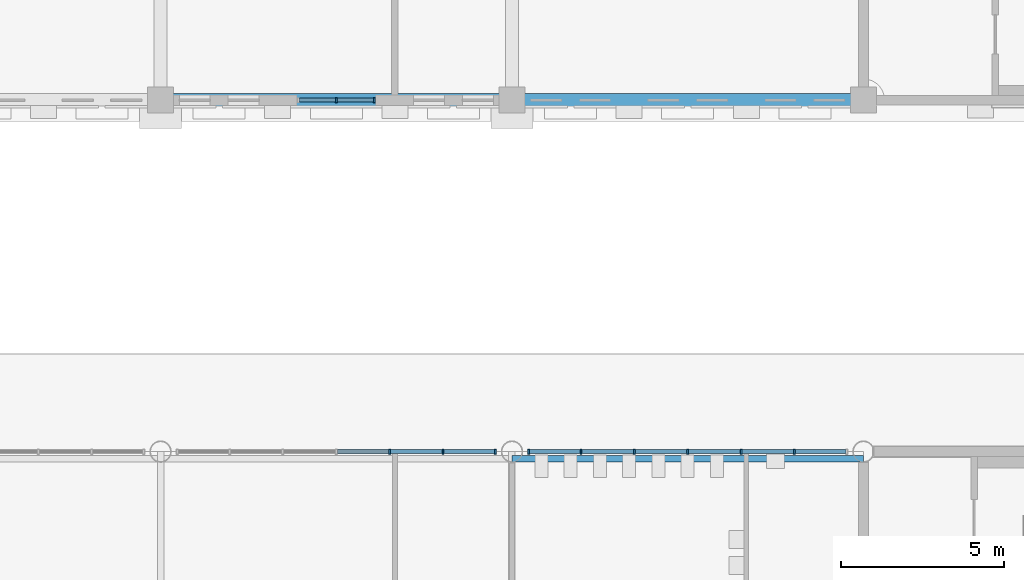
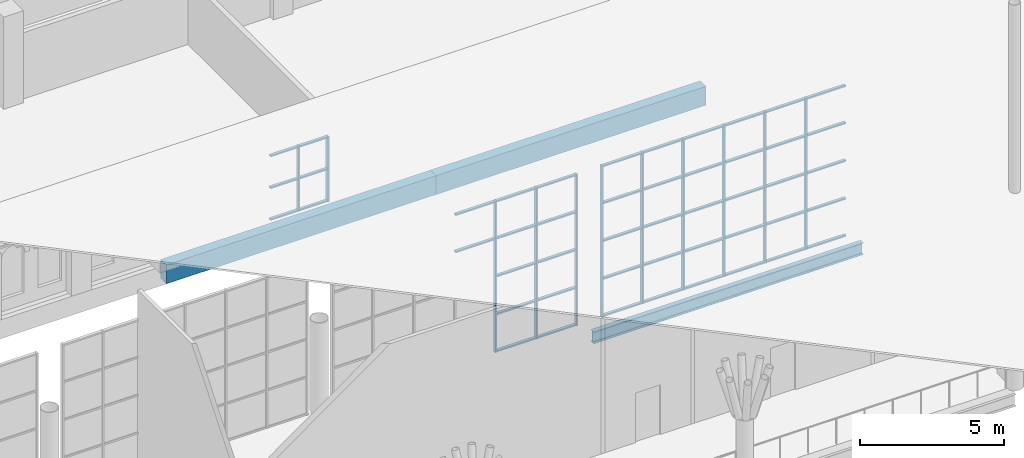
# One storey, part 15 of 56: 59 members, 3 beams, 3 elements without a shape of their own.
"""IFC4 building model written with IfcOpenShell, lengths in metres."""

from ifc_helpers import new_model, si_unit, direction, frame, origin, origin_2d, place, context, subcontext, project, spatial, rectangle, i_section, extrude, material, layer, layer_set, material_profile, profile_set, type_object, element, aggregate, save


model = new_model("IFC4")

# Units and contexts
model_context = context("Model", 3, precision=1e-05, world=origin(), true_north=direction((0.0, 1.0)))
body_context = subcontext(model_context, "Body", "Model", "MODEL_VIEW")
ifc_project = project(units=[si_unit("LENGTHUNIT", "METRE"), si_unit("AREAUNIT", "SQUARE_METRE"), si_unit("VOLUMEUNIT", "CUBIC_METRE"), si_unit("PLANEANGLEUNIT", "RADIAN"), si_unit("MASSUNIT", "GRAM", prefix="KILO")], contexts=[model_context])

# Site, building, storey
site_placement = place(None, origin())
site = spatial("IfcSite", under=ifc_project, at=site_placement, CompositionType="ELEMENT")
building_placement = place(site_placement, origin())
building = spatial("IfcBuilding", under=site, at=building_placement, Name="Magnolia Steps Interchange", CompositionType="ELEMENT")
storey_placement = place(building_placement, frame((0.0, 0.0, 8.699951171875)))
storey = spatial("IfcBuildingStorey", under=building, at=storey_placement, Name="L02", CompositionType="ELEMENT", Elevation=8.699951171875)

# Curtain wall, members
ifc_material_1 = material(Name="Powder-coated aluminium and glass", Category="aluminium")
ifc_layer_1 = layer(ifc_material_1, 0.199951171875)
ifc_layer_set_1 = layer_set([ifc_layer_1], Name="Glazed central bay curtain wall")
curtain_wall_type_1 = type_object("IfcCurtainWallType", Name="Glazed central bay curtain wall", PredefinedType="NOTDEFINED", material=ifc_layer_set_1)
curtain_wall_1_placement = place(storey_placement, origin())
curtain_wall_1 = element("IfcCurtainWall", 1, at=curtain_wall_1_placement, inside=storey, type_object=curtain_wall_type_1, Name="Operations building south wall L02 glazing 2", PredefinedType="NOTDEFINED")
ifc_material_2 = material(Name="White powder-coated aluminium", Category="aluminium")
ifc_material_profile_1 = material_profile(ifc_material_2, rectangle(XDim=0.06005859375, YDim=0.14990234375, at=origin_2d()), Name="Aluminium mullion 60 x 150")
ifc_profile_set_1 = profile_set([ifc_material_profile_1], Name="White powder-coated aluminium")
member_type_1 = type_object("IfcMemberType", Name="Aluminium mullion 60 x 150", PredefinedType="MULLION", material=ifc_profile_set_1)
member_1_placement = place(storey_placement, frame((91.0, 96.39990234375, 0.0), z_axis=(0.0, 0.0, 1.0), x_axis=(1.0, 0.0, 0.0)))
member_1 = element("IfcMember", 2, at=member_1_placement, type_object=member_type_1, Name="CW2 mullion 2", PredefinedType="MULLION", context=body_context, shape_type="SweptSolid", body=[
    extrude(rectangle(XDim=0.06005859375, YDim=0.14990234375, at=origin_2d()), origin(), (0.0, 0.0, 1.0), 2.75),
])
member_2_placement = place(storey_placement, frame((92.169921875, 96.39990234375, 0.0), z_axis=(0.0, 0.0, 1.0), x_axis=(1.0, 0.0, 0.0)))
member_2 = element("IfcMember", 3, at=member_2_placement, type_object=member_type_1, Name="CW2 mullion 3", PredefinedType="MULLION", context=body_context, shape_type="SweptSolid", body=[
    extrude(rectangle(XDim=0.06005859375, YDim=0.14990234375, at=origin_2d()), origin(), (0.0, 0.0, 1.0), 2.75),
])

ifc_material_3 = material(Name="Powder-coated aluminium and glass", Category="aluminium")
ifc_layer_2 = layer(ifc_material_3, 0.1201171875)
ifc_layer_set_2 = layer_set([ifc_layer_2], Name="Hall clerestory curtain wall")
curtain_wall_type_2 = type_object("IfcCurtainWallType", Name="Hall clerestory curtain wall", PredefinedType="NOTDEFINED", material=ifc_layer_set_2)
curtain_wall_2_placement = place(storey_placement, origin())
curtain_wall_2 = element("IfcCurtainWall", 4, at=curtain_wall_2_placement, inside=storey, type_object=curtain_wall_type_2, Name="Hall clerestory N4", PredefinedType="NOTDEFINED")
member_3_placement = place(storey_placement, frame((92.639892578125, 85.60009765625, 0.0), z_axis=(0.0, 0.0, 1.0), x_axis=(1.0, 0.0, 0.0)))
member_3 = element("IfcMember", 5, at=member_3_placement, type_object=member_type_1, Name="CW6 mullion 5", PredefinedType="MULLION", context=body_context, shape_type="SweptSolid", body=[
    extrude(rectangle(XDim=0.06005859375, YDim=0.14990234375, at=origin_2d()), origin(), (0.0, 0.0, 1.0), 6.400146484375),
])
member_4_placement = place(storey_placement, frame((94.280029296875, 85.60009765625, 0.0), z_axis=(0.0, 0.0, 1.0), x_axis=(1.0, 0.0, 0.0)))
member_4 = element("IfcMember", 6, at=member_4_placement, type_object=member_type_1, Name="CW6 mullion 6", PredefinedType="MULLION", context=body_context, shape_type="SweptSolid", body=[
    extrude(rectangle(XDim=0.06005859375, YDim=0.14990234375, at=origin_2d()), origin(), (0.0, 0.0, 1.0), 6.400146484375),
])
member_5_placement = place(storey_placement, frame((95.889892578125, 85.60009765625, 0.0), z_axis=(0.0, 0.0, 1.0), x_axis=(1.0, 0.0, 0.0)))
member_5 = element("IfcMember", 7, at=member_5_placement, type_object=member_type_1, Name="CW6 mullion 7", PredefinedType="MULLION", context=body_context, shape_type="SweptSolid", body=[
    extrude(rectangle(XDim=0.06005859375, YDim=0.14990234375, at=origin_2d()), origin(), (0.0, 0.0, 1.0), 6.400146484375),
])

curtain_wall_3_placement = place(storey_placement, origin())
curtain_wall_3 = element("IfcCurtainWall", 8, at=curtain_wall_3_placement, inside=storey, type_object=curtain_wall_type_2, Name="Hall clerestory N5", PredefinedType="NOTDEFINED")
member_6_placement = place(storey_placement, frame((96.909912109375, 85.60009765625, 0.0), z_axis=(0.0, 0.0, 1.0), x_axis=(1.0, 0.0, 0.0)))
member_6 = element("IfcMember", 9, at=member_6_placement, type_object=member_type_1, Name="CW6 mullion 1", PredefinedType="MULLION", context=body_context, shape_type="SweptSolid", body=[
    extrude(rectangle(XDim=0.06005859375, YDim=0.14990234375, at=origin_2d()), origin(), (0.0, 0.0, 1.0), 6.400146484375),
])
member_7_placement = place(storey_placement, frame((98.52001953125, 85.60009765625, 0.0), z_axis=(0.0, 0.0, 1.0), x_axis=(1.0, 0.0, 0.0)))
member_7 = element("IfcMember", 10, at=member_7_placement, type_object=member_type_1, Name="CW6 mullion 2", PredefinedType="MULLION", context=body_context, shape_type="SweptSolid", body=[
    extrude(rectangle(XDim=0.06005859375, YDim=0.14990234375, at=origin_2d()), origin(), (0.0, 0.0, 1.0), 6.400146484375),
])
member_8_placement = place(storey_placement, frame((100.159912109375, 85.60009765625, 0.0), z_axis=(0.0, 0.0, 1.0), x_axis=(1.0, 0.0, 0.0)))
member_8 = element("IfcMember", 11, at=member_8_placement, type_object=member_type_1, Name="CW6 mullion 3", PredefinedType="MULLION", context=body_context, shape_type="SweptSolid", body=[
    extrude(rectangle(XDim=0.06005859375, YDim=0.14990234375, at=origin_2d()), origin(), (0.0, 0.0, 1.0), 6.400146484375),
])
member_9_placement = place(storey_placement, frame((101.800048828125, 85.60009765625, 0.0), z_axis=(0.0, 0.0, 1.0), x_axis=(1.0, 0.0, 0.0)))
member_9 = element("IfcMember", 12, at=member_9_placement, type_object=member_type_1, Name="CW6 mullion 4", PredefinedType="MULLION", context=body_context, shape_type="SweptSolid", body=[
    extrude(rectangle(XDim=0.06005859375, YDim=0.14990234375, at=origin_2d()), origin(), (0.0, 0.0, 1.0), 6.400146484375),
])
member_10_placement = place(storey_placement, frame((103.43994140625, 85.60009765625, 0.0), z_axis=(0.0, 0.0, 1.0), x_axis=(1.0, 0.0, 0.0)))
member_10 = element("IfcMember", 13, at=member_10_placement, type_object=member_type_1, Name="CW6 mullion 5", PredefinedType="MULLION", context=body_context, shape_type="SweptSolid", body=[
    extrude(rectangle(XDim=0.06005859375, YDim=0.14990234375, at=origin_2d()), origin(), (0.0, 0.0, 1.0), 6.400146484375),
])
member_11_placement = place(storey_placement, frame((105.080078125, 85.60009765625, 0.0), z_axis=(0.0, 0.0, 1.0), x_axis=(1.0, 0.0, 0.0)))
member_11 = element("IfcMember", 14, at=member_11_placement, type_object=member_type_1, Name="CW6 mullion 6", PredefinedType="MULLION", context=body_context, shape_type="SweptSolid", body=[
    extrude(rectangle(XDim=0.06005859375, YDim=0.14990234375, at=origin_2d()), origin(), (0.0, 0.0, 1.0), 6.400146484375),
])

# Member
ifc_material_4 = material(Name="White powder-coated aluminium", Category="aluminium")
ifc_material_profile_2 = material_profile(ifc_material_4, rectangle(XDim=0.06005859375, YDim=0.1201171875, at=origin_2d()), Name="Aluminium transom 60 x 120")
ifc_profile_set_2 = profile_set([ifc_material_profile_2], Name="White powder-coated aluminium")
member_type_2 = type_object("IfcMemberType", Name="Aluminium transom 60 x 120", PredefinedType="USERDEFINED", material=ifc_profile_set_2)
member_12_placement = place(storey_placement, frame((89.860107421875, 96.39990234375, 0.030029296875), z_axis=(1.0, 0.0, 0.0), x_axis=(0.0, 0.0, 1.0)))
member_12 = element("IfcMember", 15, at=member_12_placement, type_object=member_type_2, Name="CW2 transom 1.1", ObjectType="TRANSOM", PredefinedType="USERDEFINED", context=body_context, shape_type="SweptSolid", body=[
    extrude(rectangle(XDim=0.06005859375, YDim=0.1201171875, at=origin_2d()), origin(), (0.0, 0.0, 1.0), 1.10986328125),
])

member_13_placement = place(storey_placement, frame((89.860107421875, 96.39990234375, 1.375), z_axis=(1.0, 0.0, 0.0), x_axis=(0.0, 0.0, 1.0)))
member_13 = element("IfcMember", 16, at=member_13_placement, type_object=member_type_2, Name="CW2 transom 1.2", ObjectType="TRANSOM", PredefinedType="USERDEFINED", context=body_context, shape_type="SweptSolid", body=[
    extrude(rectangle(XDim=0.06005859375, YDim=0.1201171875, at=origin_2d()), origin(), (0.0, 0.0, 1.0), 1.10986328125),
])

member_14_placement = place(storey_placement, frame((89.860107421875, 96.39990234375, 2.719970703125), z_axis=(1.0, 0.0, 0.0), x_axis=(0.0, 0.0, 1.0)))
member_14 = element("IfcMember", 17, at=member_14_placement, type_object=member_type_2, Name="CW2 transom 1.3", ObjectType="TRANSOM", PredefinedType="USERDEFINED", context=body_context, shape_type="SweptSolid", body=[
    extrude(rectangle(XDim=0.06005859375, YDim=0.1201171875, at=origin_2d()), origin(), (0.0, 0.0, 1.0), 1.10986328125),
])

member_15_placement = place(storey_placement, frame((91.030029296875, 96.39990234375, 0.030029296875), z_axis=(1.0, 0.0, 0.0), x_axis=(0.0, 0.0, 1.0)))
member_15 = element("IfcMember", 18, at=member_15_placement, type_object=member_type_2, Name="CW2 transom 2.1", ObjectType="TRANSOM", PredefinedType="USERDEFINED", context=body_context, shape_type="SweptSolid", body=[
    extrude(rectangle(XDim=0.06005859375, YDim=0.1201171875, at=origin_2d()), origin(), (0.0, 0.0, 1.0), 1.10986328125),
])

member_16_placement = place(storey_placement, frame((91.030029296875, 96.39990234375, 1.375), z_axis=(1.0, 0.0, 0.0), x_axis=(0.0, 0.0, 1.0)))
member_16 = element("IfcMember", 19, at=member_16_placement, type_object=member_type_2, Name="CW2 transom 2.2", ObjectType="TRANSOM", PredefinedType="USERDEFINED", context=body_context, shape_type="SweptSolid", body=[
    extrude(rectangle(XDim=0.06005859375, YDim=0.1201171875, at=origin_2d()), origin(), (0.0, 0.0, 1.0), 1.10986328125),
])

member_17_placement = place(storey_placement, frame((91.030029296875, 96.39990234375, 2.719970703125), z_axis=(1.0, 0.0, 0.0), x_axis=(0.0, 0.0, 1.0)))
member_17 = element("IfcMember", 20, at=member_17_placement, type_object=member_type_2, Name="CW2 transom 2.3", ObjectType="TRANSOM", PredefinedType="USERDEFINED", context=body_context, shape_type="SweptSolid", body=[
    extrude(rectangle(XDim=0.06005859375, YDim=0.1201171875, at=origin_2d()), origin(), (0.0, 0.0, 1.0), 1.10986328125),
])

aggregate(curtain_wall_1, [member_1, member_2, member_12, member_13, member_14, member_15, member_16, member_17])

member_18_placement = place(storey_placement, frame((91.030029296875, 85.60009765625, 4.800048828125), z_axis=(1.0, 0.0, 0.0), x_axis=(0.0, 0.0, 1.0)))
member_18 = element("IfcMember", 21, at=member_18_placement, type_object=member_type_2, Name="CW6 transom 4.4", ObjectType="TRANSOM", PredefinedType="USERDEFINED", context=body_context, shape_type="SweptSolid", body=[
    extrude(rectangle(XDim=0.06005859375, YDim=0.1201171875, at=origin_2d()), origin(), (0.0, 0.0, 1.0), 1.580078125),
])

member_19_placement = place(storey_placement, frame((91.030029296875, 85.60009765625, 6.3701171875), z_axis=(1.0, 0.0, 0.0), x_axis=(0.0, 0.0, 1.0)))
member_19 = element("IfcMember", 22, at=member_19_placement, type_object=member_type_2, Name="CW6 transom 4.5", ObjectType="TRANSOM", PredefinedType="USERDEFINED", context=body_context, shape_type="SweptSolid", body=[
    extrude(rectangle(XDim=0.06005859375, YDim=0.1201171875, at=origin_2d()), origin(), (0.0, 0.0, 1.0), 1.580078125),
])

member_20_placement = place(storey_placement, frame((92.669921875, 85.60009765625, 0.030029296875), z_axis=(1.0, 0.0, 0.0), x_axis=(0.0, 0.0, 1.0)))
member_20 = element("IfcMember", 23, at=member_20_placement, type_object=member_type_2, Name="CW6 transom 5.1", ObjectType="TRANSOM", PredefinedType="USERDEFINED", context=body_context, shape_type="SweptSolid", body=[
    extrude(rectangle(XDim=0.06005859375, YDim=0.1201171875, at=origin_2d()), origin(), (0.0, 0.0, 1.0), 1.580078125),
])

member_21_placement = place(storey_placement, frame((92.669921875, 85.60009765625, 1.60009765625), z_axis=(1.0, 0.0, 0.0), x_axis=(0.0, 0.0, 1.0)))
member_21 = element("IfcMember", 24, at=member_21_placement, type_object=member_type_2, Name="CW6 transom 5.2", ObjectType="TRANSOM", PredefinedType="USERDEFINED", context=body_context, shape_type="SweptSolid", body=[
    extrude(rectangle(XDim=0.06005859375, YDim=0.1201171875, at=origin_2d()), origin(), (0.0, 0.0, 1.0), 1.580078125),
])

member_22_placement = place(storey_placement, frame((92.669921875, 85.60009765625, 3.199951171875), z_axis=(1.0, 0.0, 0.0), x_axis=(0.0, 0.0, 1.0)))
member_22 = element("IfcMember", 25, at=member_22_placement, type_object=member_type_2, Name="CW6 transom 5.3", ObjectType="TRANSOM", PredefinedType="USERDEFINED", context=body_context, shape_type="SweptSolid", body=[
    extrude(rectangle(XDim=0.06005859375, YDim=0.1201171875, at=origin_2d()), origin(), (0.0, 0.0, 1.0), 1.580078125),
])

member_23_placement = place(storey_placement, frame((92.669921875, 85.60009765625, 4.800048828125), z_axis=(1.0, 0.0, 0.0), x_axis=(0.0, 0.0, 1.0)))
member_23 = element("IfcMember", 26, at=member_23_placement, type_object=member_type_2, Name="CW6 transom 5.4", ObjectType="TRANSOM", PredefinedType="USERDEFINED", context=body_context, shape_type="SweptSolid", body=[
    extrude(rectangle(XDim=0.06005859375, YDim=0.1201171875, at=origin_2d()), origin(), (0.0, 0.0, 1.0), 1.580078125),
])

member_24_placement = place(storey_placement, frame((92.669921875, 85.60009765625, 6.3701171875), z_axis=(1.0, 0.0, 0.0), x_axis=(0.0, 0.0, 1.0)))
member_24 = element("IfcMember", 27, at=member_24_placement, type_object=member_type_2, Name="CW6 transom 5.5", ObjectType="TRANSOM", PredefinedType="USERDEFINED", context=body_context, shape_type="SweptSolid", body=[
    extrude(rectangle(XDim=0.06005859375, YDim=0.1201171875, at=origin_2d()), origin(), (0.0, 0.0, 1.0), 1.580078125),
])

member_25_placement = place(storey_placement, frame((94.31005859375, 85.60009765625, 0.030029296875), z_axis=(1.0, 0.0, 0.0), x_axis=(0.0, 0.0, 1.0)))
member_25 = element("IfcMember", 28, at=member_25_placement, type_object=member_type_2, Name="CW6 transom 6.1", ObjectType="TRANSOM", PredefinedType="USERDEFINED", context=body_context, shape_type="SweptSolid", body=[
    extrude(rectangle(XDim=0.06005859375, YDim=0.1201171875, at=origin_2d()), origin(), (0.0, 0.0, 1.0), 1.550048828125),
])

member_26_placement = place(storey_placement, frame((94.31005859375, 85.60009765625, 1.60009765625), z_axis=(1.0, 0.0, 0.0), x_axis=(0.0, 0.0, 1.0)))
member_26 = element("IfcMember", 29, at=member_26_placement, type_object=member_type_2, Name="CW6 transom 6.2", ObjectType="TRANSOM", PredefinedType="USERDEFINED", context=body_context, shape_type="SweptSolid", body=[
    extrude(rectangle(XDim=0.06005859375, YDim=0.1201171875, at=origin_2d()), origin(), (0.0, 0.0, 1.0), 1.550048828125),
])

member_27_placement = place(storey_placement, frame((94.31005859375, 85.60009765625, 3.199951171875), z_axis=(1.0, 0.0, 0.0), x_axis=(0.0, 0.0, 1.0)))
member_27 = element("IfcMember", 30, at=member_27_placement, type_object=member_type_2, Name="CW6 transom 6.3", ObjectType="TRANSOM", PredefinedType="USERDEFINED", context=body_context, shape_type="SweptSolid", body=[
    extrude(rectangle(XDim=0.06005859375, YDim=0.1201171875, at=origin_2d()), origin(), (0.0, 0.0, 1.0), 1.550048828125),
])

member_28_placement = place(storey_placement, frame((94.31005859375, 85.60009765625, 4.800048828125), z_axis=(1.0, 0.0, 0.0), x_axis=(0.0, 0.0, 1.0)))
member_28 = element("IfcMember", 31, at=member_28_placement, type_object=member_type_2, Name="CW6 transom 6.4", ObjectType="TRANSOM", PredefinedType="USERDEFINED", context=body_context, shape_type="SweptSolid", body=[
    extrude(rectangle(XDim=0.06005859375, YDim=0.1201171875, at=origin_2d()), origin(), (0.0, 0.0, 1.0), 1.550048828125),
])

member_29_placement = place(storey_placement, frame((94.31005859375, 85.60009765625, 6.3701171875), z_axis=(1.0, 0.0, 0.0), x_axis=(0.0, 0.0, 1.0)))
member_29 = element("IfcMember", 32, at=member_29_placement, type_object=member_type_2, Name="CW6 transom 6.5", ObjectType="TRANSOM", PredefinedType="USERDEFINED", context=body_context, shape_type="SweptSolid", body=[
    extrude(rectangle(XDim=0.06005859375, YDim=0.1201171875, at=origin_2d()), origin(), (0.0, 0.0, 1.0), 1.550048828125),
])

aggregate(curtain_wall_2, [member_3, member_4, member_5, member_18, member_19, member_20, member_21, member_22, member_23, member_24, member_25, member_26, member_27, member_28, member_29])

member_30_placement = place(storey_placement, frame((96.93994140625, 85.60009765625, 0.030029296875), z_axis=(1.0, 0.0, 0.0), x_axis=(0.0, 0.0, 1.0)))
member_30 = element("IfcMember", 33, at=member_30_placement, type_object=member_type_2, Name="CW6 transom 1.1", ObjectType="TRANSOM", PredefinedType="USERDEFINED", context=body_context, shape_type="SweptSolid", body=[
    extrude(rectangle(XDim=0.06005859375, YDim=0.1201171875, at=origin_2d()), origin(), (0.0, 0.0, 1.0), 1.550048828125),
])

member_31_placement = place(storey_placement, frame((96.93994140625, 85.60009765625, 1.60009765625), z_axis=(1.0, 0.0, 0.0), x_axis=(0.0, 0.0, 1.0)))
member_31 = element("IfcMember", 34, at=member_31_placement, type_object=member_type_2, Name="CW6 transom 1.2", ObjectType="TRANSOM", PredefinedType="USERDEFINED", context=body_context, shape_type="SweptSolid", body=[
    extrude(rectangle(XDim=0.06005859375, YDim=0.1201171875, at=origin_2d()), origin(), (0.0, 0.0, 1.0), 1.550048828125),
])

member_32_placement = place(storey_placement, frame((96.93994140625, 85.60009765625, 3.199951171875), z_axis=(1.0, 0.0, 0.0), x_axis=(0.0, 0.0, 1.0)))
member_32 = element("IfcMember", 35, at=member_32_placement, type_object=member_type_2, Name="CW6 transom 1.3", ObjectType="TRANSOM", PredefinedType="USERDEFINED", context=body_context, shape_type="SweptSolid", body=[
    extrude(rectangle(XDim=0.06005859375, YDim=0.1201171875, at=origin_2d()), origin(), (0.0, 0.0, 1.0), 1.550048828125),
])

member_33_placement = place(storey_placement, frame((96.93994140625, 85.60009765625, 4.800048828125), z_axis=(1.0, 0.0, 0.0), x_axis=(0.0, 0.0, 1.0)))
member_33 = element("IfcMember", 36, at=member_33_placement, type_object=member_type_2, Name="CW6 transom 1.4", ObjectType="TRANSOM", PredefinedType="USERDEFINED", context=body_context, shape_type="SweptSolid", body=[
    extrude(rectangle(XDim=0.06005859375, YDim=0.1201171875, at=origin_2d()), origin(), (0.0, 0.0, 1.0), 1.550048828125),
])

member_34_placement = place(storey_placement, frame((96.93994140625, 85.60009765625, 6.3701171875), z_axis=(1.0, 0.0, 0.0), x_axis=(0.0, 0.0, 1.0)))
member_34 = element("IfcMember", 37, at=member_34_placement, type_object=member_type_2, Name="CW6 transom 1.5", ObjectType="TRANSOM", PredefinedType="USERDEFINED", context=body_context, shape_type="SweptSolid", body=[
    extrude(rectangle(XDim=0.06005859375, YDim=0.1201171875, at=origin_2d()), origin(), (0.0, 0.0, 1.0), 1.550048828125),
])

member_35_placement = place(storey_placement, frame((98.550048828125, 85.60009765625, 0.030029296875), z_axis=(1.0, 0.0, 0.0), x_axis=(0.0, 0.0, 1.0)))
member_35 = element("IfcMember", 38, at=member_35_placement, type_object=member_type_2, Name="CW6 transom 2.1", ObjectType="TRANSOM", PredefinedType="USERDEFINED", context=body_context, shape_type="SweptSolid", body=[
    extrude(rectangle(XDim=0.06005859375, YDim=0.1201171875, at=origin_2d()), origin(), (0.0, 0.0, 1.0), 1.579833984375),
])

member_36_placement = place(storey_placement, frame((98.550048828125, 85.60009765625, 1.60009765625), z_axis=(1.0, 0.0, 0.0), x_axis=(0.0, 0.0, 1.0)))
member_36 = element("IfcMember", 39, at=member_36_placement, type_object=member_type_2, Name="CW6 transom 2.2", ObjectType="TRANSOM", PredefinedType="USERDEFINED", context=body_context, shape_type="SweptSolid", body=[
    extrude(rectangle(XDim=0.06005859375, YDim=0.1201171875, at=origin_2d()), origin(), (0.0, 0.0, 1.0), 1.579833984375),
])

member_37_placement = place(storey_placement, frame((98.550048828125, 85.60009765625, 3.199951171875), z_axis=(1.0, 0.0, 0.0), x_axis=(0.0, 0.0, 1.0)))
member_37 = element("IfcMember", 40, at=member_37_placement, type_object=member_type_2, Name="CW6 transom 2.3", ObjectType="TRANSOM", PredefinedType="USERDEFINED", context=body_context, shape_type="SweptSolid", body=[
    extrude(rectangle(XDim=0.06005859375, YDim=0.1201171875, at=origin_2d()), origin(), (0.0, 0.0, 1.0), 1.579833984375),
])

member_38_placement = place(storey_placement, frame((98.550048828125, 85.60009765625, 4.800048828125), z_axis=(1.0, 0.0, 0.0), x_axis=(0.0, 0.0, 1.0)))
member_38 = element("IfcMember", 41, at=member_38_placement, type_object=member_type_2, Name="CW6 transom 2.4", ObjectType="TRANSOM", PredefinedType="USERDEFINED", context=body_context, shape_type="SweptSolid", body=[
    extrude(rectangle(XDim=0.06005859375, YDim=0.1201171875, at=origin_2d()), origin(), (0.0, 0.0, 1.0), 1.579833984375),
])

member_39_placement = place(storey_placement, frame((98.550048828125, 85.60009765625, 6.3701171875), z_axis=(1.0, 0.0, 0.0), x_axis=(0.0, 0.0, 1.0)))
member_39 = element("IfcMember", 42, at=member_39_placement, type_object=member_type_2, Name="CW6 transom 2.5", ObjectType="TRANSOM", PredefinedType="USERDEFINED", context=body_context, shape_type="SweptSolid", body=[
    extrude(rectangle(XDim=0.06005859375, YDim=0.1201171875, at=origin_2d()), origin(), (0.0, 0.0, 1.0), 1.579833984375),
])

member_40_placement = place(storey_placement, frame((100.18994140625, 85.60009765625, 0.030029296875), z_axis=(1.0, 0.0, 0.0), x_axis=(0.0, 0.0, 1.0)))
member_40 = element("IfcMember", 43, at=member_40_placement, type_object=member_type_2, Name="CW6 transom 3.1", ObjectType="TRANSOM", PredefinedType="USERDEFINED", context=body_context, shape_type="SweptSolid", body=[
    extrude(rectangle(XDim=0.06005859375, YDim=0.1201171875, at=origin_2d()), origin(), (0.0, 0.0, 1.0), 1.580078125),
])

member_41_placement = place(storey_placement, frame((100.18994140625, 85.60009765625, 1.60009765625), z_axis=(1.0, 0.0, 0.0), x_axis=(0.0, 0.0, 1.0)))
member_41 = element("IfcMember", 44, at=member_41_placement, type_object=member_type_2, Name="CW6 transom 3.2", ObjectType="TRANSOM", PredefinedType="USERDEFINED", context=body_context, shape_type="SweptSolid", body=[
    extrude(rectangle(XDim=0.06005859375, YDim=0.1201171875, at=origin_2d()), origin(), (0.0, 0.0, 1.0), 1.580078125),
])

member_42_placement = place(storey_placement, frame((100.18994140625, 85.60009765625, 3.199951171875), z_axis=(1.0, 0.0, 0.0), x_axis=(0.0, 0.0, 1.0)))
member_42 = element("IfcMember", 45, at=member_42_placement, type_object=member_type_2, Name="CW6 transom 3.3", ObjectType="TRANSOM", PredefinedType="USERDEFINED", context=body_context, shape_type="SweptSolid", body=[
    extrude(rectangle(XDim=0.06005859375, YDim=0.1201171875, at=origin_2d()), origin(), (0.0, 0.0, 1.0), 1.580078125),
])

member_43_placement = place(storey_placement, frame((100.18994140625, 85.60009765625, 4.800048828125), z_axis=(1.0, 0.0, 0.0), x_axis=(0.0, 0.0, 1.0)))
member_43 = element("IfcMember", 46, at=member_43_placement, type_object=member_type_2, Name="CW6 transom 3.4", ObjectType="TRANSOM", PredefinedType="USERDEFINED", context=body_context, shape_type="SweptSolid", body=[
    extrude(rectangle(XDim=0.06005859375, YDim=0.1201171875, at=origin_2d()), origin(), (0.0, 0.0, 1.0), 1.580078125),
])

member_44_placement = place(storey_placement, frame((100.18994140625, 85.60009765625, 6.3701171875), z_axis=(1.0, 0.0, 0.0), x_axis=(0.0, 0.0, 1.0)))
member_44 = element("IfcMember", 47, at=member_44_placement, type_object=member_type_2, Name="CW6 transom 3.5", ObjectType="TRANSOM", PredefinedType="USERDEFINED", context=body_context, shape_type="SweptSolid", body=[
    extrude(rectangle(XDim=0.06005859375, YDim=0.1201171875, at=origin_2d()), origin(), (0.0, 0.0, 1.0), 1.580078125),
])

member_45_placement = place(storey_placement, frame((101.830078125, 85.60009765625, 0.030029296875), z_axis=(1.0, 0.0, 0.0), x_axis=(0.0, 0.0, 1.0)))
member_45 = element("IfcMember", 48, at=member_45_placement, type_object=member_type_2, Name="CW6 transom 4.1", ObjectType="TRANSOM", PredefinedType="USERDEFINED", context=body_context, shape_type="SweptSolid", body=[
    extrude(rectangle(XDim=0.06005859375, YDim=0.1201171875, at=origin_2d()), origin(), (0.0, 0.0, 1.0), 1.579833984375),
])

member_46_placement = place(storey_placement, frame((101.830078125, 85.60009765625, 1.60009765625), z_axis=(1.0, 0.0, 0.0), x_axis=(0.0, 0.0, 1.0)))
member_46 = element("IfcMember", 49, at=member_46_placement, type_object=member_type_2, Name="CW6 transom 4.2", ObjectType="TRANSOM", PredefinedType="USERDEFINED", context=body_context, shape_type="SweptSolid", body=[
    extrude(rectangle(XDim=0.06005859375, YDim=0.1201171875, at=origin_2d()), origin(), (0.0, 0.0, 1.0), 1.579833984375),
])

member_47_placement = place(storey_placement, frame((101.830078125, 85.60009765625, 3.199951171875), z_axis=(1.0, 0.0, 0.0), x_axis=(0.0, 0.0, 1.0)))
member_47 = element("IfcMember", 50, at=member_47_placement, type_object=member_type_2, Name="CW6 transom 4.3", ObjectType="TRANSOM", PredefinedType="USERDEFINED", context=body_context, shape_type="SweptSolid", body=[
    extrude(rectangle(XDim=0.06005859375, YDim=0.1201171875, at=origin_2d()), origin(), (0.0, 0.0, 1.0), 1.579833984375),
])

member_48_placement = place(storey_placement, frame((101.830078125, 85.60009765625, 4.800048828125), z_axis=(1.0, 0.0, 0.0), x_axis=(0.0, 0.0, 1.0)))
member_48 = element("IfcMember", 51, at=member_48_placement, type_object=member_type_2, Name="CW6 transom 4.4", ObjectType="TRANSOM", PredefinedType="USERDEFINED", context=body_context, shape_type="SweptSolid", body=[
    extrude(rectangle(XDim=0.06005859375, YDim=0.1201171875, at=origin_2d()), origin(), (0.0, 0.0, 1.0), 1.579833984375),
])

member_49_placement = place(storey_placement, frame((101.830078125, 85.60009765625, 6.3701171875), z_axis=(1.0, 0.0, 0.0), x_axis=(0.0, 0.0, 1.0)))
member_49 = element("IfcMember", 52, at=member_49_placement, type_object=member_type_2, Name="CW6 transom 4.5", ObjectType="TRANSOM", PredefinedType="USERDEFINED", context=body_context, shape_type="SweptSolid", body=[
    extrude(rectangle(XDim=0.06005859375, YDim=0.1201171875, at=origin_2d()), origin(), (0.0, 0.0, 1.0), 1.579833984375),
])

member_50_placement = place(storey_placement, frame((103.469970703125, 85.60009765625, 0.030029296875), z_axis=(1.0, 0.0, 0.0), x_axis=(0.0, 0.0, 1.0)))
member_50 = element("IfcMember", 53, at=member_50_placement, type_object=member_type_2, Name="CW6 transom 5.1", ObjectType="TRANSOM", PredefinedType="USERDEFINED", context=body_context, shape_type="SweptSolid", body=[
    extrude(rectangle(XDim=0.06005859375, YDim=0.1201171875, at=origin_2d()), origin(), (0.0, 0.0, 1.0), 1.580078125),
])

member_51_placement = place(storey_placement, frame((103.469970703125, 85.60009765625, 1.60009765625), z_axis=(1.0, 0.0, 0.0), x_axis=(0.0, 0.0, 1.0)))
member_51 = element("IfcMember", 54, at=member_51_placement, type_object=member_type_2, Name="CW6 transom 5.2", ObjectType="TRANSOM", PredefinedType="USERDEFINED", context=body_context, shape_type="SweptSolid", body=[
    extrude(rectangle(XDim=0.06005859375, YDim=0.1201171875, at=origin_2d()), origin(), (0.0, 0.0, 1.0), 1.580078125),
])

member_52_placement = place(storey_placement, frame((103.469970703125, 85.60009765625, 3.199951171875), z_axis=(1.0, 0.0, 0.0), x_axis=(0.0, 0.0, 1.0)))
member_52 = element("IfcMember", 55, at=member_52_placement, type_object=member_type_2, Name="CW6 transom 5.3", ObjectType="TRANSOM", PredefinedType="USERDEFINED", context=body_context, shape_type="SweptSolid", body=[
    extrude(rectangle(XDim=0.06005859375, YDim=0.1201171875, at=origin_2d()), origin(), (0.0, 0.0, 1.0), 1.580078125),
])

member_53_placement = place(storey_placement, frame((103.469970703125, 85.60009765625, 4.800048828125), z_axis=(1.0, 0.0, 0.0), x_axis=(0.0, 0.0, 1.0)))
member_53 = element("IfcMember", 56, at=member_53_placement, type_object=member_type_2, Name="CW6 transom 5.4", ObjectType="TRANSOM", PredefinedType="USERDEFINED", context=body_context, shape_type="SweptSolid", body=[
    extrude(rectangle(XDim=0.06005859375, YDim=0.1201171875, at=origin_2d()), origin(), (0.0, 0.0, 1.0), 1.580078125),
])

member_54_placement = place(storey_placement, frame((103.469970703125, 85.60009765625, 6.3701171875), z_axis=(1.0, 0.0, 0.0), x_axis=(0.0, 0.0, 1.0)))
member_54 = element("IfcMember", 57, at=member_54_placement, type_object=member_type_2, Name="CW6 transom 5.5", ObjectType="TRANSOM", PredefinedType="USERDEFINED", context=body_context, shape_type="SweptSolid", body=[
    extrude(rectangle(XDim=0.06005859375, YDim=0.1201171875, at=origin_2d()), origin(), (0.0, 0.0, 1.0), 1.580078125),
])

member_55_placement = place(storey_placement, frame((105.110107421875, 85.60009765625, 0.030029296875), z_axis=(1.0, 0.0, 0.0), x_axis=(0.0, 0.0, 1.0)))
member_55 = element("IfcMember", 58, at=member_55_placement, type_object=member_type_2, Name="CW6 transom 6.1", ObjectType="TRANSOM", PredefinedType="USERDEFINED", context=body_context, shape_type="SweptSolid", body=[
    extrude(rectangle(XDim=0.06005859375, YDim=0.1201171875, at=origin_2d()), origin(), (0.0, 0.0, 1.0), 1.5498046875),
])

member_56_placement = place(storey_placement, frame((105.110107421875, 85.60009765625, 1.60009765625), z_axis=(1.0, 0.0, 0.0), x_axis=(0.0, 0.0, 1.0)))
member_56 = element("IfcMember", 59, at=member_56_placement, type_object=member_type_2, Name="CW6 transom 6.2", ObjectType="TRANSOM", PredefinedType="USERDEFINED", context=body_context, shape_type="SweptSolid", body=[
    extrude(rectangle(XDim=0.06005859375, YDim=0.1201171875, at=origin_2d()), origin(), (0.0, 0.0, 1.0), 1.5498046875),
])

member_57_placement = place(storey_placement, frame((105.110107421875, 85.60009765625, 3.199951171875), z_axis=(1.0, 0.0, 0.0), x_axis=(0.0, 0.0, 1.0)))
member_57 = element("IfcMember", 60, at=member_57_placement, type_object=member_type_2, Name="CW6 transom 6.3", ObjectType="TRANSOM", PredefinedType="USERDEFINED", context=body_context, shape_type="SweptSolid", body=[
    extrude(rectangle(XDim=0.06005859375, YDim=0.1201171875, at=origin_2d()), origin(), (0.0, 0.0, 1.0), 1.5498046875),
])

member_58_placement = place(storey_placement, frame((105.110107421875, 85.60009765625, 4.800048828125), z_axis=(1.0, 0.0, 0.0), x_axis=(0.0, 0.0, 1.0)))
member_58 = element("IfcMember", 61, at=member_58_placement, type_object=member_type_2, Name="CW6 transom 6.4", ObjectType="TRANSOM", PredefinedType="USERDEFINED", context=body_context, shape_type="SweptSolid", body=[
    extrude(rectangle(XDim=0.06005859375, YDim=0.1201171875, at=origin_2d()), origin(), (0.0, 0.0, 1.0), 1.5498046875),
])

member_59_placement = place(storey_placement, frame((105.110107421875, 85.60009765625, 6.3701171875), z_axis=(1.0, 0.0, 0.0), x_axis=(0.0, 0.0, 1.0)))
member_59 = element("IfcMember", 62, at=member_59_placement, type_object=member_type_2, Name="CW6 transom 6.5", ObjectType="TRANSOM", PredefinedType="USERDEFINED", context=body_context, shape_type="SweptSolid", body=[
    extrude(rectangle(XDim=0.06005859375, YDim=0.1201171875, at=origin_2d()), origin(), (0.0, 0.0, 1.0), 1.5498046875),
])

aggregate(curtain_wall_3, [member_6, member_7, member_8, member_9, member_10, member_11, member_30, member_31, member_32, member_33, member_34, member_35, member_36, member_37, member_38, member_39, member_40, member_41, member_42, member_43, member_44, member_45, member_46, member_47, member_48, member_49, member_50, member_51, member_52, member_53, member_54, member_55, member_56, member_57, member_58, member_59])

# Beams
ifc_material_5 = material(Name="Concrete C40", Category="concrete")
ifc_material_profile_3 = material_profile(ifc_material_5, rectangle(XDim=0.39990234375, YDim=0.800048828125, at=origin_2d()), Name="RC400x800")
ifc_profile_set_3 = profile_set([ifc_material_profile_3], Name="Concrete C40")
beam_type_1 = type_object("IfcBeamType", Name="RC beam 400x800", PredefinedType="BEAM", material=ifc_profile_set_3)
beam_1_placement = place(storey_placement, frame((85.60009765625, 96.39990234375, -0.699951171875), z_axis=(1.0, 0.0, 0.0), x_axis=(0.0, 1.0, 0.0)))
element("IfcBeam", 63, at=beam_1_placement, inside=storey, type_object=beam_type_1, Name="Beam L02 I 8-9", PredefinedType="BEAM", context=body_context, shape_type="SweptSolid", body=[
    extrude(rectangle(XDim=0.39990234375, YDim=0.800048828125, at=origin_2d()), origin(), (0.0, 0.0, 1.0), 10.7998046875),
])
beam_2_placement = place(storey_placement, frame((96.39990234375, 96.39990234375, -0.699951171875), z_axis=(1.0, 0.0, 0.0), x_axis=(0.0, 1.0, 0.0)))
element("IfcBeam", 64, at=beam_2_placement, inside=storey, type_object=beam_type_1, Name="Beam L02 I 9-10", PredefinedType="BEAM", context=body_context, shape_type="SweptSolid", body=[
    extrude(rectangle(XDim=0.39990234375, YDim=0.800048828125, at=origin_2d()), origin(), (0.0, 0.0, 1.0), 10.800048828125),
])
ifc_material_6 = material(Name="Steel Q355B", Category="steel")
ifc_material_profile_4 = material_profile(ifc_material_6, i_section(OverallWidth=0.199951171875, OverallDepth=0.5, WebThickness=0.010009765625, FlangeThickness=0.01611328125, FilletRadius=0.02001953125, at=origin_2d()), Name="HN500x200")
ifc_profile_set_4 = profile_set([ifc_material_profile_4], Name="Steel Q355B")
beam_type_2 = type_object("IfcBeamType", Name="Steel composite beam HN500x200", PredefinedType="BEAM", material=ifc_profile_set_4)
beam_3_placement = place(storey_placement, frame((96.39990234375, 85.3798828125, -0.550048828125), z_axis=(1.0, 0.0, 0.0), x_axis=(0.0, 1.0, 0.0)))
element("IfcBeam", 65, at=beam_3_placement, inside=storey, type_object=beam_type_2, Name="Beam L02 H 9-10", PredefinedType="BEAM", context=body_context, shape_type="SweptSolid", body=[
    extrude(i_section(OverallWidth=0.199951171875, OverallDepth=0.5, WebThickness=0.010009765625, FlangeThickness=0.01611328125, FilletRadius=0.02001953125, at=origin_2d()), origin(), (0.0, 0.0, 1.0), 10.800048828125),
])

save(model, "model.ifc")
